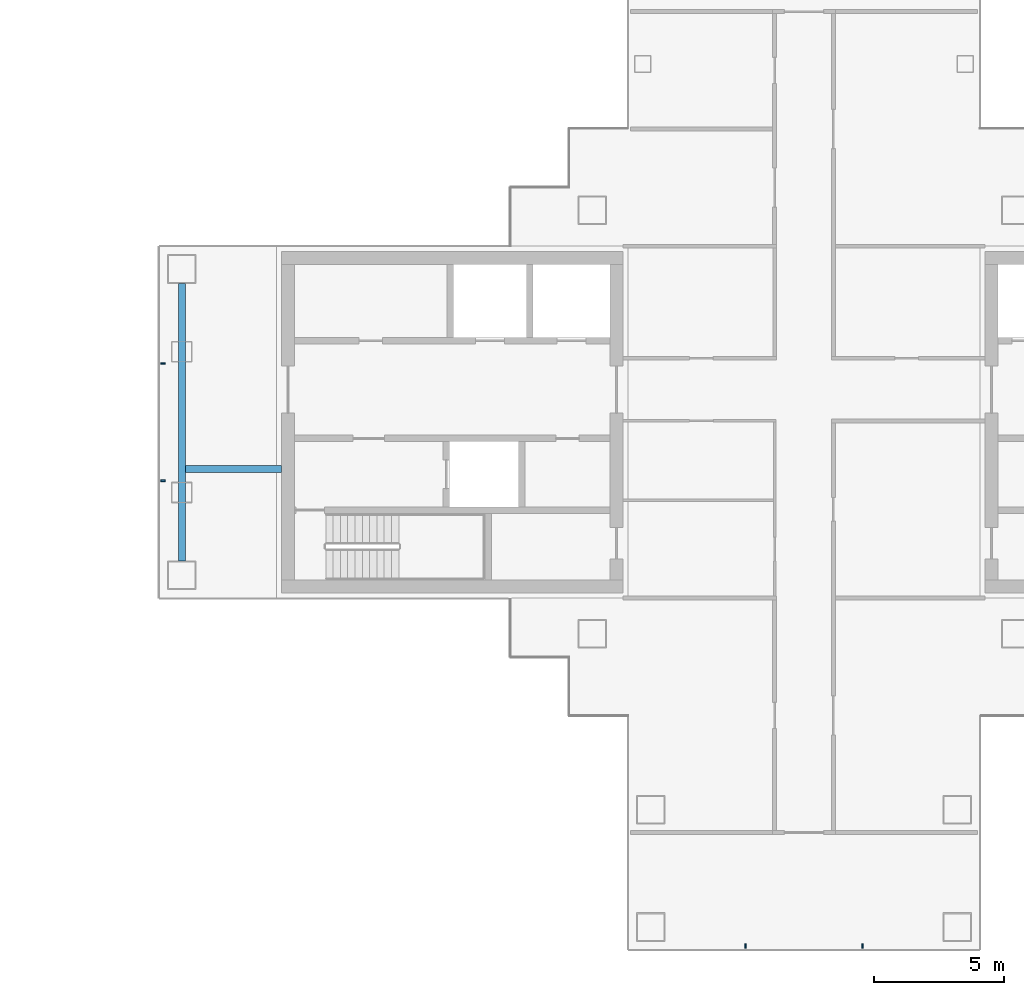
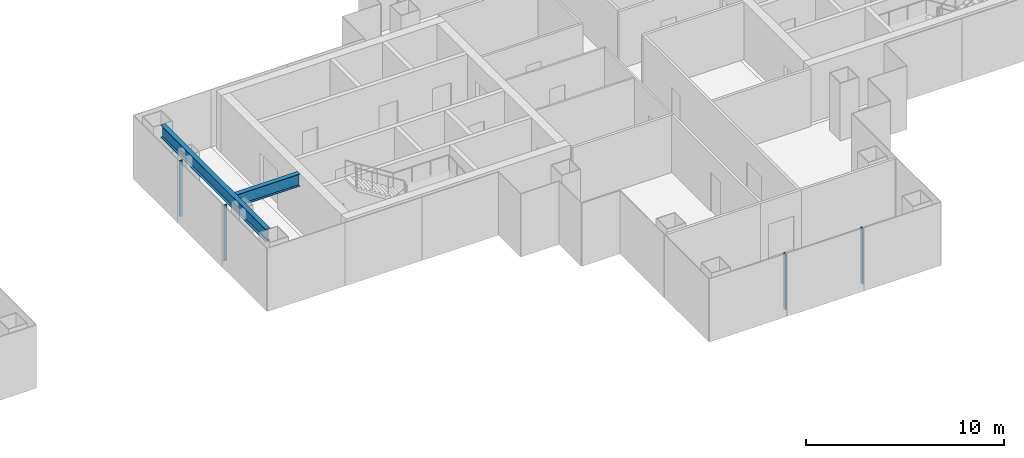
# One storey, part 5 of 16: 4 members, 2 beams, 2 elements without a shape of their own.
"""IFC4 building model written with IfcOpenShell, lengths in metres."""

import ifcopenshell
import ifcopenshell.guid

model = None  # the IFC model being written
_history = None  # IfcOwnerHistory: only IFC2X3 demands one
_inside = {}  # id of a spatial element -> (the spatial element, [elements in it])
_under = {}  # id of a project, library or spatial element -> (it, [spatial elements below it])
_declared = {}  # id of a project -> (the project, [libraries it declares])
_typed = {}  # id of a type object -> (the type object, [elements of that type])
_made_of = {}  # id of a material, layer set ... -> (it, [elements and type objects made of it])


def new_model(schema):
    """Start an empty IFC model of exactly this schema.

    Asked for "IFC4X3", IfcOpenShell would pick the latest addendum, in which some entities
    have other attributes; the version numbers below select the first issue.
    IFC2X3 requires an IfcOwnerHistory on every rooted entity: one is made here for all.
    """
    global model, _history
    if schema == "IFC4X3":
        model = ifcopenshell.file(schema_version=(4, 3, 0, 0))
    else:
        model = ifcopenshell.file(schema=schema)
    _inside.clear()
    _under.clear()
    _declared.clear()
    _typed.clear()
    _made_of.clear()
    _history = None
    if model.schema == "IFC2X3":
        org = make("IfcOrganization", Name="unknown")
        user = make(
            "IfcPersonAndOrganization",
            ThePerson=make("IfcPerson", FamilyName="unknown"),
            TheOrganization=org,
        )
        app = make(
            "IfcApplication",
            ApplicationDeveloper=org,
            Version="unknown",
            ApplicationFullName="unknown",
            ApplicationIdentifier="unknown",
        )
        _history = make(
            "IfcOwnerHistory",
            OwningUser=user,
            OwningApplication=app,
            ChangeAction="ADDED",
            CreationDate=0,
        )
    return model


def make(cls, **values):
    """One entity of the class cls with the attributes given. An attribute that is None is left unset."""
    return model.create_entity(
        cls, **{name: value for name, value in values.items() if value is not None}
    )


def rooted(cls, **values):
    """An entity with a GlobalId (a new one), such as an element, a storey or a relation."""
    return make(cls, GlobalId=ifcopenshell.guid.new(), OwnerHistory=_history, **values)


def si_unit(unit_type, name, prefix=None):
    """IfcSIUnit, for example si_unit("LENGTHUNIT", "METRE", prefix="MILLI")."""
    return make("IfcSIUnit", UnitType=unit_type, Prefix=prefix, Name=name)


def assignment(units):
    """IfcUnitAssignment: the units of a project."""
    return None if units is None else make("IfcUnitAssignment", Units=units)


def point(xyz):
    """IfcCartesianPoint."""
    return None if xyz is None else make("IfcCartesianPoint", Coordinates=xyz)


def direction(xyz):
    """IfcDirection."""
    return None if xyz is None else make("IfcDirection", DirectionRatios=xyz)


def frame(location, z_axis=None, x_axis=None):
    """IfcAxis2Placement3D, a coordinate frame: its origin and axes. An axis left out is left unset."""
    return make(
        "IfcAxis2Placement3D",
        Location=point(location),
        Axis=direction(z_axis),
        RefDirection=direction(x_axis),
    )


def frame_2d(location, x_axis=None):
    """IfcAxis2Placement2D, a coordinate frame in the plane: its origin and x axis."""
    return make(
        "IfcAxis2Placement2D", Location=point(location), RefDirection=direction(x_axis)
    )


def origin():
    """The frame at (0, 0, 0) with its axes left unset."""
    return frame((0.0, 0.0, 0.0))


def origin_2d():
    """The frame at (0, 0) in the plane with its x axis left unset."""
    return frame_2d((0.0, 0.0))


def place(relative_to, where):
    """IfcLocalPlacement: puts the frame where relative to a parent placement (None: the world)."""
    return make(
        "IfcLocalPlacement", PlacementRelTo=relative_to, RelativePlacement=where
    )


def context(
    kind, dimensions, precision=None, world=None, true_north=None, identifier=None
):
    """IfcGeometricRepresentationContext, for example the 3D "Model" context."""
    return make(
        "IfcGeometricRepresentationContext",
        ContextIdentifier=identifier,
        ContextType=kind,
        CoordinateSpaceDimension=dimensions,
        Precision=precision,
        WorldCoordinateSystem=world,
        TrueNorth=true_north,
    )


def subcontext(parent, identifier, kind, view, scale=None):
    """IfcGeometricRepresentationSubContext, for example "Body" below "Model"."""
    return make(
        "IfcGeometricRepresentationSubContext",
        ContextIdentifier=identifier,
        ContextType=kind,
        ParentContext=parent,
        TargetScale=scale,
        TargetView=view,
    )


def project(units=None, contexts=None):
    """IfcProject with its units and contexts."""
    return rooted(
        "IfcProject",
        Name="project",
        RepresentationContexts=contexts,
        UnitsInContext=assignment(units),
    )


def spatial(cls, under=None, at=None, **own):
    """A site, building, storey or space (cls), placed at a placement, below another one or the project."""
    s = rooted(cls, ObjectPlacement=at, **own)
    if under is not None:
        _under.setdefault(under.id(), (under, []))[1].append(s)
    return s


def profile(cls, at=None, kind="AREA", **sizes):
    """A parametric profile (cls). Its sizes go by their IFC names, for example OverallWidth=200.0."""
    return make(cls, ProfileType=kind, Position=at, **sizes)


def rectangle(**sizes):
    """IfcRectangleProfileDef."""
    return profile("IfcRectangleProfileDef", **sizes)


def i_section(**sizes):
    """IfcIShapeProfileDef."""
    return profile("IfcIShapeProfileDef", **sizes)


def extrude(swept, where, along, depth):
    """IfcExtrudedAreaSolid: the profile swept, set in the frame where, extruded along a direction by depth."""
    return make(
        "IfcExtrudedAreaSolid",
        SweptArea=swept,
        Position=where,
        ExtrudedDirection=direction(along),
        Depth=depth,
    )


def shape(context_of_items, identifier, shape_type, items):
    """IfcShapeRepresentation: the items that make up one representation, for example the "Body"."""
    return make(
        "IfcShapeRepresentation",
        ContextOfItems=context_of_items,
        RepresentationIdentifier=identifier,
        RepresentationType=shape_type,
        Items=items,
    )


def material(Name=None, Category=None):
    """IfcMaterial."""
    return make("IfcMaterial", Name=Name, Category=Category)


def layer(
    of_material, thickness, ventilated=None, Name=None, Category=None, Priority=None
):
    """IfcMaterialLayer: one layer of a wall or slab, of a material (None: an air gap)."""
    return make(
        "IfcMaterialLayer",
        Material=of_material,
        LayerThickness=thickness,
        IsVentilated=ventilated,
        Name=Name,
        Category=Category,
        Priority=Priority,
    )


def layer_set(layers, Name=None):
    """IfcMaterialLayerSet."""
    return make("IfcMaterialLayerSet", MaterialLayers=layers, LayerSetName=Name)


def material_profile(
    of_material, cross_section, Name=None, Category=None, Priority=None
):
    """IfcMaterialProfile: a cross section and its material."""
    return make(
        "IfcMaterialProfile",
        Name=Name,
        Material=of_material,
        Profile=cross_section,
        Priority=Priority,
        Category=Category,
    )


def profile_set(profiles, Name=None, composite=None):
    """IfcMaterialProfileSet."""
    return make(
        "IfcMaterialProfileSet",
        Name=Name,
        MaterialProfiles=profiles,
        CompositeProfile=composite,
    )


def made_of(thing, what):
    """Note that an element or type object is made of a material, layer set ...; save() writes the relation."""
    if what is not None:
        _made_of.setdefault(what.id(), (what, []))[1].append(thing)
    return thing


def type_object(cls, material=None, **own):
    """A type object (cls), such as IfcWallType, which elements share."""
    return made_of(rooted(cls, **own), material)


def element(
    cls,
    number,
    at=None,
    inside=None,
    cuts=None,
    type_object=None,
    material=None,
    context=None,
    identifier="Body",
    shape_type=None,
    held_by="IfcProductDefinitionShape",
    body=None,
    shapes=None,
    **own,
):
    """One element of the class cls, such as IfcWall. Its Tag is "e" and its number.

    at: its placement. inside: the storey or other place that contains it. cuts: it is an
    opening in that element (IfcRelVoidsElement). A single representation is given by context,
    identifier, shape_type and body (its items); several are given by shapes. held_by: the class
    of the entity that holds the representations. save() writes the other relations.
    """
    e = rooted(cls, Tag="e%d" % number, ObjectPlacement=at, **own)
    if body is not None:
        shapes = [shape(context, identifier, shape_type, body)]
    if shapes is not None:
        e.Representation = make(held_by, Representations=shapes)
    if inside is not None:
        _inside.setdefault(inside.id(), (inside, []))[1].append(e)
    if cuts is not None:
        rooted(
            "IfcRelVoidsElement", RelatingBuildingElement=cuts, RelatedOpeningElement=e
        )
    if type_object is not None:
        _typed.setdefault(type_object.id(), (type_object, []))[1].append(e)
    return made_of(e, material)


def aggregate(whole, parts):
    """IfcRelAggregates: a whole, such as a stair, and the parts it consists of."""
    return rooted("IfcRelAggregates", RelatingObject=whole, RelatedObjects=parts)


def save(model, path):
    """Write the relations noted so far, then the file.

    IfcRelAggregates (storeys below a building ...), IfcRelContainedInSpatialStructure (elements
    in a storey), IfcRelDefinesByType, IfcRelAssociatesMaterial and IfcRelDeclares: one each for
    every whole, place, type object, material and project.
    """
    for whole, parts in _under.values():
        aggregate(whole, parts)
    for where, things in _inside.values():
        rooted(
            "IfcRelContainedInSpatialStructure",
            RelatedElements=things,
            RelatingStructure=where,
        )
    for kind, things in _typed.values():
        rooted("IfcRelDefinesByType", RelatedObjects=things, RelatingType=kind)
    for what, things in _made_of.values():
        rooted("IfcRelAssociatesMaterial", RelatedObjects=things, RelatingMaterial=what)
    for by, libraries in _declared.values():
        rooted("IfcRelDeclares", RelatingContext=by, RelatedDefinitions=libraries)
    model.write(path)


model = new_model("IFC4")

# Units and contexts
model_context = context("Model", 3, precision=1e-05, world=origin(), true_north=direction((0.0, 1.0)))
body_context = subcontext(model_context, "Body", "Model", "MODEL_VIEW")
ifc_project = project(units=[si_unit("LENGTHUNIT", "METRE"), si_unit("AREAUNIT", "SQUARE_METRE"), si_unit("VOLUMEUNIT", "CUBIC_METRE"), si_unit("PLANEANGLEUNIT", "RADIAN"), si_unit("MASSUNIT", "GRAM", prefix="KILO")], contexts=[model_context])

# Site, building, storey
site_placement = place(None, origin())
site = spatial("IfcSite", under=ifc_project, at=site_placement, CompositionType="ELEMENT")
building_placement = place(site_placement, origin())
building = spatial("IfcBuilding", under=site, at=building_placement, Name="Shamsa Quay Exchange Towers", CompositionType="ELEMENT")
storey_placement = place(building_placement, frame((0.0, 0.0, 158.39990234375)))
storey = spatial("IfcBuildingStorey", under=building, at=storey_placement, Name="L37", CompositionType="ELEMENT", Elevation=158.39990234375)

# Curtain wall, members
ifc_material_1 = material(Name="Aluminium EN AW-6063 T6, black anodised", Category="aluminium")
ifc_layer = layer(ifc_material_1, 0.280029296875)
ifc_layer_set = layer_set([ifc_layer], Name="CW-1 UNITISED VISION GLASS")
curtain_wall_type = type_object("IfcCurtainWallType", Name="CW-1 UNITISED VISION GLASS", PredefinedType="NOTDEFINED", material=ifc_layer_set)
curtain_wall_1_placement = place(storey_placement, origin())
curtain_wall_1 = element("IfcCurtainWall", 1, at=curtain_wall_1_placement, inside=storey, type_object=curtain_wall_type, Name="CW1 T2-END-V+ L37", PredefinedType="NOTDEFINED")
ifc_material_profile_1 = material_profile(ifc_material_1, rectangle(XDim=0.179931640625, YDim=0.06005859375, at=origin_2d()), Name="MU60x180")
ifc_profile_set_1 = profile_set([ifc_material_profile_1], Name="Aluminium EN AW-6063 T6, black anodised")
member_type = type_object("IfcMemberType", Name="CW1 MULLION 60x180", PredefinedType="MULLION", material=ifc_profile_set_1)
member_1_placement = place(storey_placement, frame((9.14990234375, 2.25, 0.0)))
member_1 = element("IfcMember", 2, at=member_1_placement, type_object=member_type, Name="CW1 mullion", PredefinedType="MULLION", context=body_context, shape_type="SweptSolid", body=[
    extrude(rectangle(XDim=0.179931640625, YDim=0.06005859375, at=origin_2d()), origin(), (0.0, 0.0, 1.0), 3.4501953125),
])
member_2_placement = place(storey_placement, frame((9.14990234375, -2.25, 0.0)))
member_2 = element("IfcMember", 3, at=member_2_placement, type_object=member_type, Name="CW1 mullion", PredefinedType="MULLION", context=body_context, shape_type="SweptSolid", body=[
    extrude(rectangle(XDim=0.179931640625, YDim=0.06005859375, at=origin_2d()), origin(), (0.0, 0.0, 1.0), 3.4501953125),
])
aggregate(curtain_wall_1, [member_1, member_2])

curtain_wall_2_placement = place(storey_placement, origin())
curtain_wall_2 = element("IfcCurtainWall", 4, at=curtain_wall_2_placement, inside=storey, type_object=curtain_wall_type, Name="CW1 T2-END-U- L37", PredefinedType="NOTDEFINED")
member_3_placement = place(storey_placement, frame((31.5, -20.10009765625, 0.0), z_axis=(0.0, 0.0, 1.0), x_axis=(0.0, 1.0, 0.0)))
member_3 = element("IfcMember", 5, at=member_3_placement, type_object=member_type, Name="CW1 mullion", PredefinedType="MULLION", context=body_context, shape_type="SweptSolid", body=[
    extrude(rectangle(XDim=0.179931640625, YDim=0.06005859375, at=origin_2d()), origin(), (0.0, 0.0, 1.0), 3.4501953125),
])
member_4_placement = place(storey_placement, frame((36.0, -20.10009765625, 0.0), z_axis=(0.0, 0.0, 1.0), x_axis=(0.0, 1.0, 0.0)))
member_4 = element("IfcMember", 6, at=member_4_placement, type_object=member_type, Name="CW1 mullion", PredefinedType="MULLION", context=body_context, shape_type="SweptSolid", body=[
    extrude(rectangle(XDim=0.179931640625, YDim=0.06005859375, at=origin_2d()), origin(), (0.0, 0.0, 1.0), 3.4501953125),
])
aggregate(curtain_wall_2, [member_3, member_4])

# Beams
ifc_material_2 = material(Name="Steel S355", Category="steel")
ifc_material_profile_2 = material_profile(ifc_material_2, i_section(OverallWidth=0.26611328125, OverallDepth=0.7578125, WebThickness=0.013916015625, FlangeThickness=0.019287109375, at=origin_2d()), Name="W30x108")
ifc_profile_set_2 = profile_set([ifc_material_profile_2], Name="Steel S355")
beam_type = type_object("IfcBeamType", Name="End-zone beam W30x108", PredefinedType="BEAM", material=ifc_profile_set_2)
beam_1_placement = place(storey_placement, frame((9.875, -5.324951171875, 3.171142578125), z_axis=(0.0, 1.0, 0.0), x_axis=(-1.0, 0.0, 0.0)))
element("IfcBeam", 7, at=beam_1_placement, inside=storey, type_object=beam_type, Name="End beam T2 V+ end zone L37", PredefinedType="BEAM", context=body_context, shape_type="SweptSolid", body=[
    extrude(i_section(OverallWidth=0.26611328125, OverallDepth=0.7578125, WebThickness=0.013916015625, FlangeThickness=0.019287109375, at=origin_2d()), origin(), (0.0, 0.0, 1.0), 10.64990234375),
])
beam_2_placement = place(storey_placement, frame((13.699951171875, -1.800048828125, 3.171142578125), z_axis=(-1.0, 0.0, 0.0), x_axis=(0.0, -1.0, 0.0)))
element("IfcBeam", 8, at=beam_2_placement, inside=storey, type_object=beam_type, Name="Spine beam T2 V+ end zone L37", PredefinedType="BEAM", context=body_context, shape_type="SweptSolid", body=[
    extrude(i_section(OverallWidth=0.26611328125, OverallDepth=0.7578125, WebThickness=0.013916015625, FlangeThickness=0.019287109375, at=origin_2d()), origin(), (0.0, 0.0, 1.0), 3.69189453125),
])

save(model, "model.ifc")
